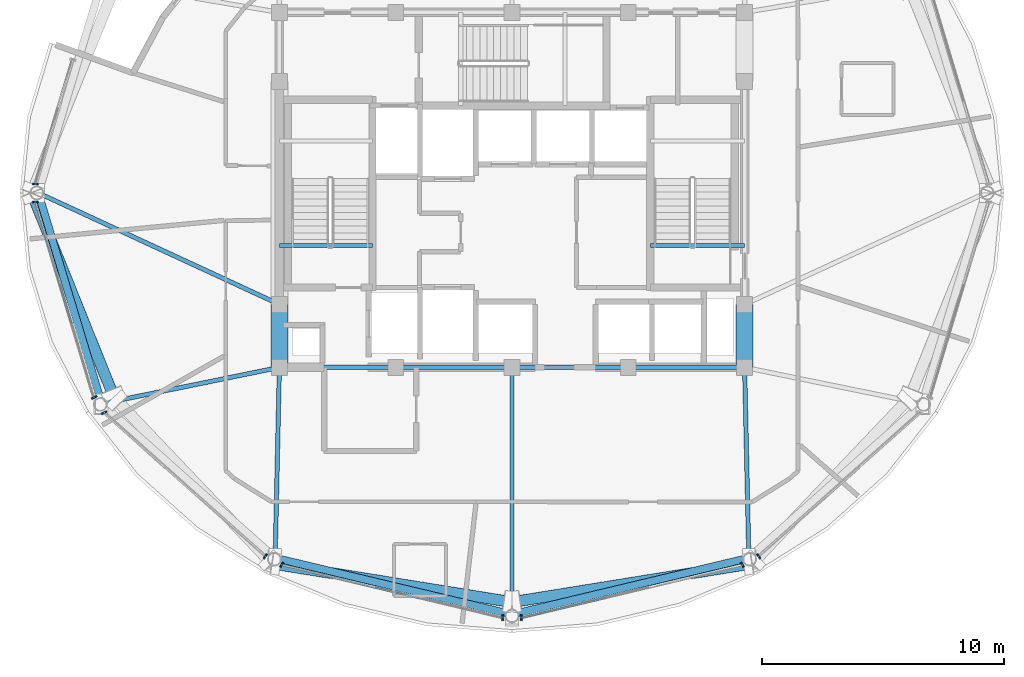
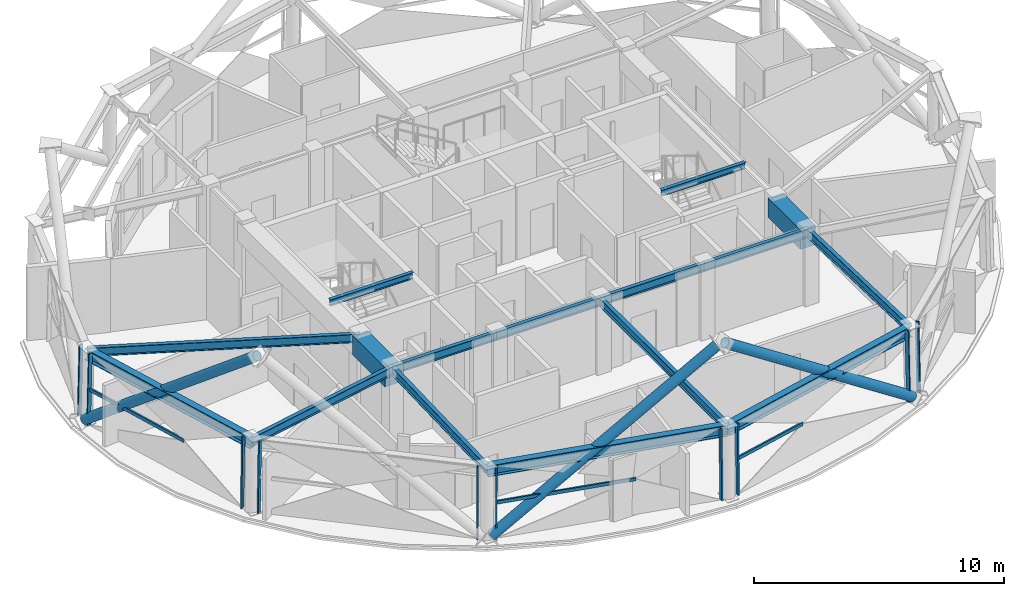
# One storey, part 2 of 15: 16 beams, 16 members, 6 elements without a shape of their own.
"""IFC4 building model written with IfcOpenShell, lengths in metres."""

from ifc_helpers import new_model, si_unit, direction, frame, origin, origin_2d, place, context, subcontext, project, spatial, rectangle, hollow_rectangle, hollow_circle, i_section, extrude, material, layer, layer_set, material_profile, profile_set, type_object, element, aggregate, save


model = new_model("IFC4")

# Units and contexts
model_context = context("Model", 3, precision=1e-05, world=origin(), true_north=direction((0.0, 1.0)))
body_context = subcontext(model_context, "Body", "Model", "MODEL_VIEW")
ifc_project = project(units=[si_unit("LENGTHUNIT", "METRE"), si_unit("AREAUNIT", "SQUARE_METRE"), si_unit("VOLUMEUNIT", "CUBIC_METRE"), si_unit("PLANEANGLEUNIT", "RADIAN"), si_unit("MASSUNIT", "GRAM", prefix="KILO")], contexts=[model_context])

# Site, building, storey
site_placement = place(None, origin())
site = spatial("IfcSite", under=ifc_project, at=site_placement, CompositionType="ELEMENT")
building_placement = place(site_placement, origin())
building = spatial("IfcBuilding", under=site, at=building_placement, Name="Vantalir Tower", CompositionType="ELEMENT")
storey_placement = place(building_placement, frame((0.0, 0.0, 275.10009765625)))
storey = spatial("IfcBuildingStorey", under=building, at=storey_placement, Name="L69", CompositionType="ELEMENT", Elevation=275.10009765625)

# Beams
ifc_material_1 = material(Name="Concrete C60/75", Category="concrete")
ifc_material_profile_1 = material_profile(ifc_material_1, rectangle(XDim=0.699951171875, YDim=0.949951171875, at=origin_2d()), Name="Concrete C60/75")
ifc_profile_set_1 = profile_set([ifc_material_profile_1], Name="Concrete C60/75")
beam_type_1 = type_object("IfcBeamType", Name="BM-CB-700x950", PredefinedType="USERDEFINED", material=ifc_profile_set_1)
for number, where, z_axis, x_axis, name in (
    (1, (41.10009765625, 17.800048828125, 3.094970703125), (0.0, 1.0, 0.0), (-1.0, 0.0, 0.0), "L69 Core Coupling Girder 05"),
    (2, (21.89990234375, 20.39990234375, 3.094970703125), (0.0, -1.0, 0.0), (1.0, 0.0, 0.0), "L69 Core Coupling Girder 14"),
):
    element("IfcBeam", number, at=place(storey_placement, frame(where, z_axis=z_axis, x_axis=x_axis)), inside=storey, type_object=beam_type_1, Name=name, ObjectType="GIRDER", PredefinedType="USERDEFINED", context=body_context, shape_type="SweptSolid", body=[
        extrude(rectangle(XDim=0.699951171875, YDim=0.949951171875, at=origin_2d()), origin(), (0.0, 0.0, 1.0), 2.599853515625),
    ])
ifc_material_2 = material(Name="Steel S355", Category="steel")
ifc_material_profile_2 = material_profile(ifc_material_2, i_section(OverallWidth=0.166015625, OverallDepth=0.306884765625, WebThickness=0.006591796875, FlangeThickness=0.01171875, at=origin_2d()), Name="Steel S355")
ifc_profile_set_2 = profile_set([ifc_material_profile_2], Name="Steel S355")
beam_type_2 = type_object("IfcBeamType", Name="BM-JS-305x165", PredefinedType="JOIST", material=ifc_profile_set_2)
beam_1_placement = place(storey_placement, frame((21.89990234375, 22.8349609375, 3.595947265625), z_axis=(1.0, 0.0, 0.0), x_axis=(0.0, 1.0, 0.0)))
element("IfcBeam", 3, at=beam_1_placement, inside=storey, type_object=beam_type_2, Name="L70 Stair ST1 Well Nosing Trimmer Beam", PredefinedType="JOIST", context=body_context, shape_type="SweptSolid", body=[
    extrude(i_section(OverallWidth=0.166015625, OverallDepth=0.306884765625, WebThickness=0.006591796875, FlangeThickness=0.01171875, at=origin_2d()), origin(), (0.0, 0.0, 1.0), 3.840087890625),
])
beam_2_placement = place(storey_placement, frame((37.2099609375, 22.8349609375, 3.595947265625), z_axis=(1.0, 0.0, 0.0), x_axis=(0.0, 1.0, 0.0)))
element("IfcBeam", 4, at=beam_2_placement, inside=storey, type_object=beam_type_2, Name="L70 Stair ST2 Well Nosing Trimmer Beam", PredefinedType="JOIST", context=body_context, shape_type="SweptSolid", body=[
    extrude(i_section(OverallWidth=0.166015625, OverallDepth=0.306884765625, WebThickness=0.006591796875, FlangeThickness=0.01171875, at=origin_2d()), origin(), (0.0, 0.0, 1.0), 3.89013671875),
])
ifc_material_profile_3 = material_profile(ifc_material_2, i_section(OverallWidth=0.179931640625, OverallDepth=0.4130859375, WebThickness=0.009521484375, FlangeThickness=0.01611328125, at=origin_2d()), Name="Steel S355")
ifc_profile_set_3 = profile_set([ifc_material_profile_3], Name="Steel S355")
beam_type_3 = type_object("IfcBeamType", Name="BM-RB-406x178", PredefinedType="BEAM", material=ifc_profile_set_3)
for number, where, z_axis, x_axis, name in (
    (5, (21.89990234375, 17.800048828125, 3.364013671875), (1.0, 0.0, 0.0), (0.0, 1.0, 0.0), "L69 Core Coupling Girder 01"),
    (6, (26.699951171875, 17.800048828125, 3.364013671875), (1.0, 0.0, 0.0), (0.0, 1.0, 0.0), "L69 Core Coupling Girder 02"),
    (7, (31.5, 17.800048828125, 3.364013671875), (1.0, 0.0, 0.0), (0.0, 1.0, 0.0), "L69 Core Coupling Girder 03"),
    (8, (36.300048828125, 17.800048828125, 3.364013671875), (1.0, 0.0, 0.0), (0.0, 1.0, 0.0), "L69 Core Coupling Girder 04"),
):
    element("IfcBeam", number, at=place(storey_placement, frame(where, z_axis=z_axis, x_axis=x_axis)), inside=storey, type_object=beam_type_3, Name=name, PredefinedType="BEAM", context=body_context, shape_type="SweptSolid", body=[
        extrude(i_section(OverallWidth=0.179931640625, OverallDepth=0.4130859375, WebThickness=0.009521484375, FlangeThickness=0.01611328125, at=origin_2d()), origin(), (0.0, 0.0, 1.0), 4.800048828125),
    ])
beam_3_placement = place(storey_placement, frame((11.949951171875, 25.0, 3.364013671875), z_axis=(0.907688021413, -0.419645631198, 0.0), x_axis=(0.419645631198, 0.907688021413, 0.0)))
element("IfcBeam", 9, at=beam_3_placement, inside=storey, type_object=beam_type_3, Name="L69 Radial Floor Beam 07", PredefinedType="BEAM", context=body_context, shape_type="SweptSolid", body=[
    extrude(i_section(OverallWidth=0.179931640625, OverallDepth=0.4130859375, WebThickness=0.009521484375, FlangeThickness=0.01611328125, at=origin_2d()), origin(), (0.0, 0.0, 1.0), 10.9619140625),
])
beam_4_placement = place(storey_placement, frame((14.569091796875, 16.302001953125, 3.364013671875), z_axis=(0.979752623577, 0.200211879251, 0.0), x_axis=(-0.200211879251, 0.979752623577, 0.0)))
element("IfcBeam", 10, at=beam_4_placement, inside=storey, type_object=beam_type_3, Name="L69 Radial Floor Beam 08", PredefinedType="BEAM", context=body_context, shape_type="SweptSolid", body=[
    extrude(i_section(OverallWidth=0.179931640625, OverallDepth=0.4130859375, WebThickness=0.009521484375, FlangeThickness=0.01611328125, at=origin_2d()), origin(), (0.0, 0.0, 1.0), 7.482421875),
])
beam_5_placement = place(storey_placement, frame((21.72509765625, 9.93505859375, 3.364013671875), z_axis=(0.02222018378, 0.999753101237, 0.0), x_axis=(-0.999753101237, 0.02222018378, 0.0)))
element("IfcBeam", 11, at=beam_5_placement, inside=storey, type_object=beam_type_3, Name="L69 Radial Floor Beam 09", PredefinedType="BEAM", context=body_context, shape_type="SweptSolid", body=[
    extrude(i_section(OverallWidth=0.179931640625, OverallDepth=0.4130859375, WebThickness=0.009521484375, FlangeThickness=0.01611328125, at=origin_2d()), origin(), (0.0, 0.0, 1.0), 7.866943359375),
])
beam_6_placement = place(storey_placement, frame((31.5, 7.60400390625, 3.364013671875), z_axis=(0.0, 1.0, 0.0), x_axis=(-1.0, 0.0, 0.0)))
element("IfcBeam", 12, at=beam_6_placement, inside=storey, type_object=beam_type_3, Name="L69 Radial Floor Beam 10", PredefinedType="BEAM", context=body_context, shape_type="SweptSolid", body=[
    extrude(i_section(OverallWidth=0.179931640625, OverallDepth=0.4130859375, WebThickness=0.009521484375, FlangeThickness=0.01611328125, at=origin_2d()), origin(), (0.0, 0.0, 1.0), 10.196044921875),
])
beam_7_placement = place(storey_placement, frame((41.27490234375, 9.93505859375, 3.364013671875), z_axis=(-0.02222018378, 0.999753101237, 0.0), x_axis=(-0.999753101237, -0.02222018378, 0.0)))
element("IfcBeam", 13, at=beam_7_placement, inside=storey, type_object=beam_type_3, Name="L69 Radial Floor Beam 11", PredefinedType="BEAM", context=body_context, shape_type="SweptSolid", body=[
    extrude(i_section(OverallWidth=0.179931640625, OverallDepth=0.4130859375, WebThickness=0.009521484375, FlangeThickness=0.01611328125, at=origin_2d()), origin(), (0.0, 0.0, 1.0), 7.866943359375),
])
ifc_material_3 = material(Name="Steel S460", Category="steel")
ifc_material_profile_4 = material_profile(ifc_material_3, i_section(OverallWidth=0.31201171875, OverallDepth=0.5419921875, WebThickness=0.0126953125, FlangeThickness=0.020263671875, at=origin_2d()), Name="Steel S460")
ifc_profile_set_4 = profile_set([ifc_material_profile_4], Name="Steel S460")
beam_type_4 = type_object("IfcBeamType", Name="BM-RG-533x312", PredefinedType="USERDEFINED", material=ifc_profile_set_4)
beam_8_placement = place(storey_placement, frame((11.949951171875, 25.0, 3.298828125), z_axis=(0.288331563438, -0.957530631116, 0.0), x_axis=(0.957530631116, 0.288331563438, 0.0)))
element("IfcBeam", 14, at=beam_8_placement, inside=storey, type_object=beam_type_4, Name="L69 Circumferential Ring Girder 07", ObjectType="GIRDER", PredefinedType="USERDEFINED", context=body_context, shape_type="SweptSolid", body=[
    extrude(i_section(OverallWidth=0.31201171875, OverallDepth=0.5419921875, WebThickness=0.0126953125, FlangeThickness=0.020263671875, at=origin_2d()), origin(), (0.0, 0.0, 1.0), 9.083740234375),
])
for number, where, z_axis, x_axis, name in (
    (15, (21.72509765625, 9.93505859375, 3.298828125), (0.972723257423, -0.231968671309, 0.0), (0.231968671309, 0.972723257423, 0.0), "L69 Circumferential Ring Girder 09"),
    (16, (31.5, 7.60400390625, 3.298828125), (0.972723257423, 0.231968671309, 0.0), (-0.231968671309, 0.972723257423, 0.0), "L69 Circumferential Ring Girder 10"),
):
    element("IfcBeam", number, at=place(storey_placement, frame(where, z_axis=z_axis, x_axis=x_axis)), inside=storey, type_object=beam_type_4, Name=name, ObjectType="GIRDER", PredefinedType="USERDEFINED", context=body_context, shape_type="SweptSolid", body=[
        extrude(i_section(OverallWidth=0.31201171875, OverallDepth=0.5419921875, WebThickness=0.0126953125, FlangeThickness=0.020263671875, at=origin_2d()), origin(), (0.0, 0.0, 1.0), 10.049072265625),
    ])

# Curtain wall, member
ifc_material_4 = material(Name="Champagne-silver PVDF aluminium and double-silver Low-E glass", Category="aluminium")
ifc_layer = layer(ifc_material_4, 0.219970703125)
ifc_layer_set = layer_set([ifc_layer], Name="Champagne-silver PVDF aluminium and double-silver Low-E glass")
curtain_wall_type = type_object("IfcCurtainWallType", Name="CW-DIAMOND-Z4", PredefinedType="USERDEFINED", material=ifc_layer_set)
curtain_wall_1_placement = place(storey_placement, origin())
curtain_wall_1 = element("IfcCurtainWall", 17, at=curtain_wall_1_placement, inside=storey, type_object=curtain_wall_type, Name="L69 Quilted Pyramid-Diamond Curtain Wall S06", ObjectType="UNITISED CURTAIN WALL", PredefinedType="USERDEFINED")
ifc_material_5 = material(Name="Champagne-silver PVDF aluminium 6063-T6", Category="aluminium")
ifc_material_profile_5 = material_profile(ifc_material_5, hollow_rectangle(XDim=0.070068359375, YDim=0.1650390625, WallThickness=0.00390625, at=origin_2d()), Name="Champagne-silver PVDF aluminium 6063-T6")
ifc_profile_set_5 = profile_set([ifc_material_profile_5], Name="Champagne-silver PVDF aluminium 6063-T6")
member_type_1 = type_object("IfcMemberType", Name="CWM-165x70", PredefinedType="MULLION", material=ifc_profile_set_5)
member_1_placement = place(storey_placement, frame((11.7919921875, 25.373046875, 0.044921875), z_axis=(0.023004994726, 0.0, 0.999735350089), x_axis=(0.0, 1.0, 0.0)))
member_1 = element("IfcMember", 18, at=member_1_placement, type_object=member_type_1, Name="CW-L69-S06 Mullion 2", PredefinedType="MULLION", context=body_context, shape_type="SweptSolid", body=[
    extrude(hollow_rectangle(XDim=0.070068359375, YDim=0.1650390625, WallThickness=0.00390625, at=origin_2d()), origin(), (0.0, 0.0, 1.0), 3.48095703125),
])
aggregate(curtain_wall_1, [member_1])

# Curtain wall, members
curtain_wall_2_placement = place(storey_placement, origin())
curtain_wall_2 = element("IfcCurtainWall", 19, at=curtain_wall_2_placement, inside=storey, type_object=curtain_wall_type, Name="L69 Quilted Pyramid-Diamond Curtain Wall S07", ObjectType="UNITISED CURTAIN WALL", PredefinedType="USERDEFINED")
member_2_placement = place(storey_placement, frame((11.7919921875, 24.626953125, 0.044921875), z_axis=(0.023004994726, 0.0, 0.999735350089), x_axis=(0.0, 1.0, 0.0)))
member_2 = element("IfcMember", 20, at=member_2_placement, type_object=member_type_1, Name="CW-L69-S07 Mullion 1", PredefinedType="MULLION", context=body_context, shape_type="SweptSolid", body=[
    extrude(hollow_rectangle(XDim=0.070068359375, YDim=0.1650390625, WallThickness=0.00390625, at=origin_2d()), origin(), (0.0, 0.0, 1.0), 3.48095703125),
])
member_3_placement = place(storey_placement, frame((14.222900390625, 16.5439453125, 0.044921875), z_axis=(0.020129534317, 0.010380387034, 0.999743491808), x_axis=(-0.458327357576, 0.888783456921, 0.0)))
member_3 = element("IfcMember", 21, at=member_3_placement, type_object=member_type_1, Name="CW-L69-S07 Mullion 2", PredefinedType="MULLION", context=body_context, shape_type="SweptSolid", body=[
    extrude(hollow_rectangle(XDim=0.070068359375, YDim=0.1650390625, WallThickness=0.00390625, at=origin_2d()), origin(), (0.0, 0.0, 1.0), 3.48095703125),
])

curtain_wall_3_placement = place(storey_placement, origin())
curtain_wall_3 = element("IfcCurtainWall", 22, at=curtain_wall_3_placement, inside=storey, type_object=curtain_wall_type, Name="L69 Quilted Pyramid-Diamond Curtain Wall S08", ObjectType="UNITISED CURTAIN WALL", PredefinedType="USERDEFINED")
member_4_placement = place(storey_placement, frame((14.6259765625, 15.912109375, 0.044921875), z_axis=(0.020129548923, 0.010310256765, 0.99974421722), x_axis=(-0.455875869806, 0.890043364859, 0.0)))
member_4 = element("IfcMember", 23, at=member_4_placement, type_object=member_type_1, Name="CW-L69-S08 Mullion 1", PredefinedType="MULLION", context=body_context, shape_type="SweptSolid", body=[
    extrude(hollow_rectangle(XDim=0.070068359375, YDim=0.1650390625, WallThickness=0.00390625, at=origin_2d()), origin(), (0.0, 0.0, 1.0), 3.48095703125),
])
member_5_placement = place(storey_placement, frame((21.299072265625, 9.967041015625, 0.044921875), z_axis=(0.011502954924, 0.017815552138, 0.999775118779), x_axis=(-0.840102178973, 0.54242817855, 0.0)))
member_5 = element("IfcMember", 24, at=member_5_placement, type_object=member_type_1, Name="CW-L69-S08 Mullion 2", PredefinedType="MULLION", context=body_context, shape_type="SweptSolid", body=[
    extrude(hollow_rectangle(XDim=0.070068359375, YDim=0.1650390625, WallThickness=0.00390625, at=origin_2d()), origin(), (0.0, 0.0, 1.0), 3.480712890625),
])
aggregate(curtain_wall_3, [member_4, member_5])

curtain_wall_4_placement = place(storey_placement, origin())
curtain_wall_4 = element("IfcCurtainWall", 25, at=curtain_wall_4_placement, inside=storey, type_object=curtain_wall_type, Name="L69 Quilted Pyramid-Diamond Curtain Wall S09", ObjectType="UNITISED CURTAIN WALL", PredefinedType="USERDEFINED")
member_6_placement = place(storey_placement, frame((21.968994140625, 9.616943359375, 0.044921875), z_axis=(0.011502954924, 0.017815552138, 0.999775118779), x_axis=(-0.840102178973, 0.54242817855, 0.0)))
member_6 = element("IfcMember", 26, at=member_6_placement, type_object=member_type_1, Name="CW-L69-S09 Mullion 1", PredefinedType="MULLION", context=body_context, shape_type="SweptSolid", body=[
    extrude(hollow_rectangle(XDim=0.070068359375, YDim=0.1650390625, WallThickness=0.00390625, at=origin_2d()), origin(), (0.0, 0.0, 1.0), 3.480712890625),
])
member_7_placement = place(storey_placement, frame((31.12109375, 7.43310546875, 0.044921875), z_axis=(0.0, 0.020621403307, 0.999787356254), x_axis=(-1.0, 0.0, 0.0)))
member_7 = element("IfcMember", 27, at=member_7_placement, type_object=member_type_1, Name="CW-L69-S09 Mullion 2", PredefinedType="MULLION", context=body_context, shape_type="SweptSolid", body=[
    extrude(hollow_rectangle(XDim=0.070068359375, YDim=0.1650390625, WallThickness=0.00390625, at=origin_2d()), origin(), (0.0, 0.0, 1.0), 3.480712890625),
])

curtain_wall_5_placement = place(storey_placement, origin())
curtain_wall_5 = element("IfcCurtainWall", 28, at=curtain_wall_5_placement, inside=storey, type_object=curtain_wall_type, Name="L69 Quilted Pyramid-Diamond Curtain Wall S10", ObjectType="UNITISED CURTAIN WALL", PredefinedType="USERDEFINED")
member_8_placement = place(storey_placement, frame((31.87890625, 7.43310546875, 0.044921875), z_axis=(0.0, 0.020621403307, 0.999787356254), x_axis=(-1.0, 0.0, 0.0)))
member_8 = element("IfcMember", 29, at=member_8_placement, type_object=member_type_1, Name="CW-L69-S10 Mullion 1", PredefinedType="MULLION", context=body_context, shape_type="SweptSolid", body=[
    extrude(hollow_rectangle(XDim=0.070068359375, YDim=0.1650390625, WallThickness=0.00390625, at=origin_2d()), origin(), (0.0, 0.0, 1.0), 3.480712890625),
])
member_9_placement = place(storey_placement, frame((41.031005859375, 9.616943359375, 0.044921875), z_axis=(-0.011502954924, 0.017815552138, 0.999775118779), x_axis=(-0.840102178973, -0.54242817855, 0.0)))
member_9 = element("IfcMember", 30, at=member_9_placement, type_object=member_type_1, Name="CW-L69-S10 Mullion 2", PredefinedType="MULLION", context=body_context, shape_type="SweptSolid", body=[
    extrude(hollow_rectangle(XDim=0.070068359375, YDim=0.1650390625, WallThickness=0.00390625, at=origin_2d()), origin(), (0.0, 0.0, 1.0), 3.480712890625),
])

# Curtain wall, member
curtain_wall_6_placement = place(storey_placement, origin())
curtain_wall_6 = element("IfcCurtainWall", 31, at=curtain_wall_6_placement, inside=storey, type_object=curtain_wall_type, Name="L69 Quilted Pyramid-Diamond Curtain Wall S11", ObjectType="UNITISED CURTAIN WALL", PredefinedType="USERDEFINED")
member_10_placement = place(storey_placement, frame((41.700927734375, 9.967041015625, 0.044921875), z_axis=(-0.011502954924, 0.017815552138, 0.999775118779), x_axis=(-0.840102178973, -0.54242817855, 0.0)))
member_10 = element("IfcMember", 32, at=member_10_placement, type_object=member_type_1, Name="CW-L69-S11 Mullion 1", PredefinedType="MULLION", context=body_context, shape_type="SweptSolid", body=[
    extrude(hollow_rectangle(XDim=0.070068359375, YDim=0.1650390625, WallThickness=0.00390625, at=origin_2d()), origin(), (0.0, 0.0, 1.0), 3.480712890625),
])
aggregate(curtain_wall_6, [member_10])

# Member
ifc_material_profile_6 = material_profile(ifc_material_5, hollow_rectangle(XDim=0.074951171875, YDim=0.159912109375, WallThickness=0.00390625, at=origin_2d()), Name="Champagne-silver PVDF aluminium 6063-T6")
ifc_profile_set_6 = profile_set([ifc_material_profile_6], Name="Champagne-silver PVDF aluminium 6063-T6")
member_type_2 = type_object("IfcMemberType", Name="CWT-160x75", PredefinedType="USERDEFINED", material=ifc_profile_set_6)
member_11_placement = place(storey_placement, frame((11.83203125, 24.626953125, 1.784912109375), z_axis=(0.283639342579, -0.958931031587, 0.0), x_axis=(0.958931031587, 0.283639342579, 0.0)))
member_11 = element("IfcMember", 33, at=member_11_placement, type_object=member_type_2, Name="CW-L69-S07 Pyramid Fold Ridge Transom", ObjectType="TRANSOM", PredefinedType="USERDEFINED", context=body_context, shape_type="SweptSolid", body=[
    extrude(hollow_rectangle(XDim=0.074951171875, YDim=0.159912109375, WallThickness=0.00390625, at=origin_2d()), origin(), (0.0, 0.0, 1.0), 5.22119140625),
])

aggregate(curtain_wall_2, [member_2, member_3, member_11])

member_12_placement = place(storey_placement, frame((21.989013671875, 9.64794921875, 1.784912109375), z_axis=(0.971737073931, -0.236065794107, 0.0), x_axis=(0.236065794107, 0.971737073931, 0.0)))
member_12 = element("IfcMember", 34, at=member_12_placement, type_object=member_type_2, Name="CW-L69-S09 Pyramid Fold Ridge Transom", ObjectType="TRANSOM", PredefinedType="USERDEFINED", context=body_context, shape_type="SweptSolid", body=[
    extrude(hollow_rectangle(XDim=0.074951171875, YDim=0.159912109375, WallThickness=0.00390625, at=origin_2d()), origin(), (0.0, 0.0, 1.0), 5.820556640625),
])

aggregate(curtain_wall_4, [member_6, member_7, member_12])

member_13_placement = place(storey_placement, frame((31.87890625, 7.468994140625, 1.784912109375), z_axis=(0.97422139632, 0.225594040151, 0.0), x_axis=(-0.225594040151, 0.97422139632, 0.0)))
member_13 = element("IfcMember", 35, at=member_13_placement, type_object=member_type_2, Name="CW-L69-S10 Pyramid Fold Ridge Transom", ObjectType="TRANSOM", PredefinedType="USERDEFINED", context=body_context, shape_type="SweptSolid", body=[
    extrude(hollow_rectangle(XDim=0.074951171875, YDim=0.159912109375, WallThickness=0.00390625, at=origin_2d()), origin(), (0.0, 0.0, 1.0), 3.568115234375),
])

aggregate(curtain_wall_5, [member_8, member_9, member_13])

# Members
ifc_material_profile_7 = material_profile(ifc_material_3, hollow_circle(Radius=0.22998046875, WallThickness=0.028076171875, at=origin_2d()), Name="Steel S460")
ifc_profile_set_7 = profile_set([ifc_material_profile_7], Name="Steel S460")
member_type_3 = type_object("IfcMemberType", Name="MEM-DB-460x28", PredefinedType="BRACE", material=ifc_profile_set_7)
member_14_placement = place(storey_placement, frame((11.7451171875, 24.840087890625, 0.2158203125), z_axis=(0.293452177569, -0.729193494326, 0.618193066374), x_axis=(0.927696059501, 0.373336337887, 0.0)))
element("IfcMember", 36, at=member_14_placement, inside=storey, type_object=member_type_3, Name="L69 Perimeter S460 Diagrid Brace R19L", PredefinedType="BRACE", context=body_context, shape_type="SweptSolid", body=[
    extrude(hollow_circle(Radius=0.22998046875, WallThickness=0.028076171875, at=origin_2d()), origin(), (0.0, 0.0, 1.0), 11.142333984375),
])
for number, where, z_axis, x_axis, name in (
    (37, (21.76708984375, 9.678955078125, 0.2080078125), (0.80375661827, -0.129534164892, 0.580685972547), (0.159107933192, 0.987261194211, 0.0), "L69 Perimeter S460 Diagrid Brace R25L"),
    (38, (41.23291015625, 9.678955078125, 0.2080078125), (-0.80375661827, -0.129534164892, 0.580685972547), (0.159107933192, -0.987261194211, 0.0), "L69 Perimeter S460 Diagrid Brace R31R"),
):
    element("IfcMember", number, at=place(storey_placement, frame(where, z_axis=z_axis, x_axis=x_axis)), inside=storey, type_object=member_type_3, Name=name, PredefinedType="BRACE", context=body_context, shape_type="SweptSolid", body=[
        extrude(hollow_circle(Radius=0.22998046875, WallThickness=0.028076171875, at=origin_2d()), origin(), (0.0, 0.0, 1.0), 11.88916015625),
    ])

save(model, "model.ifc")
